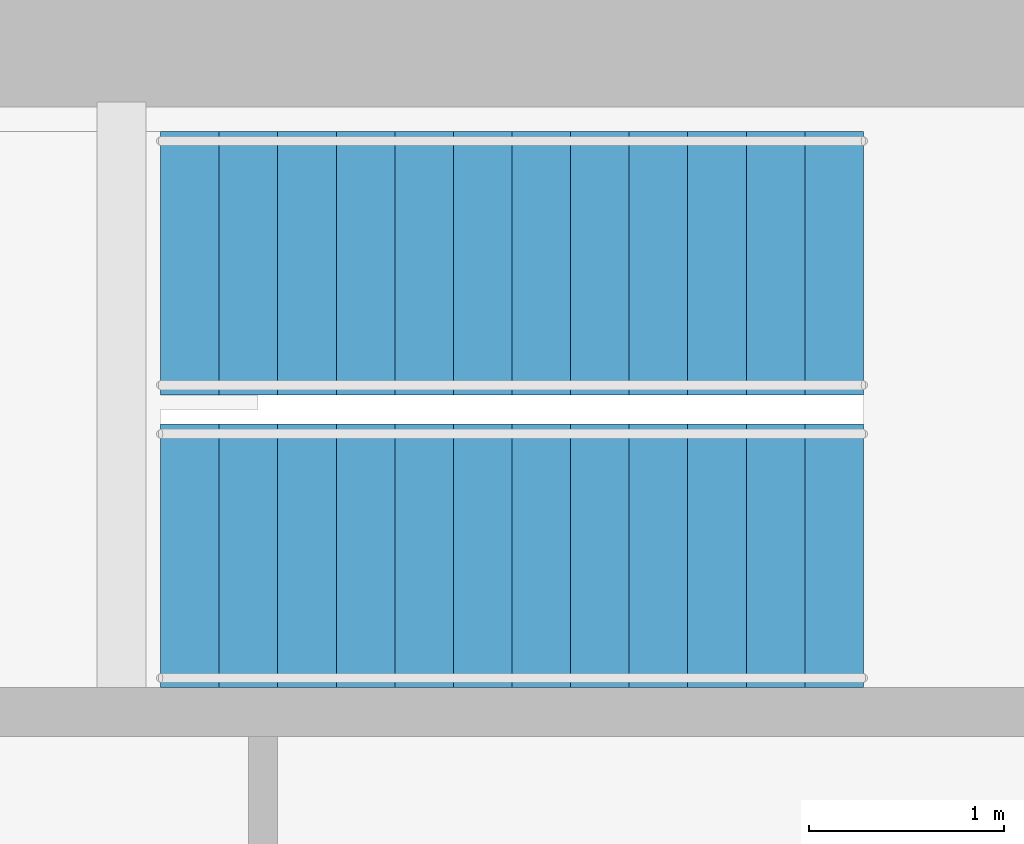
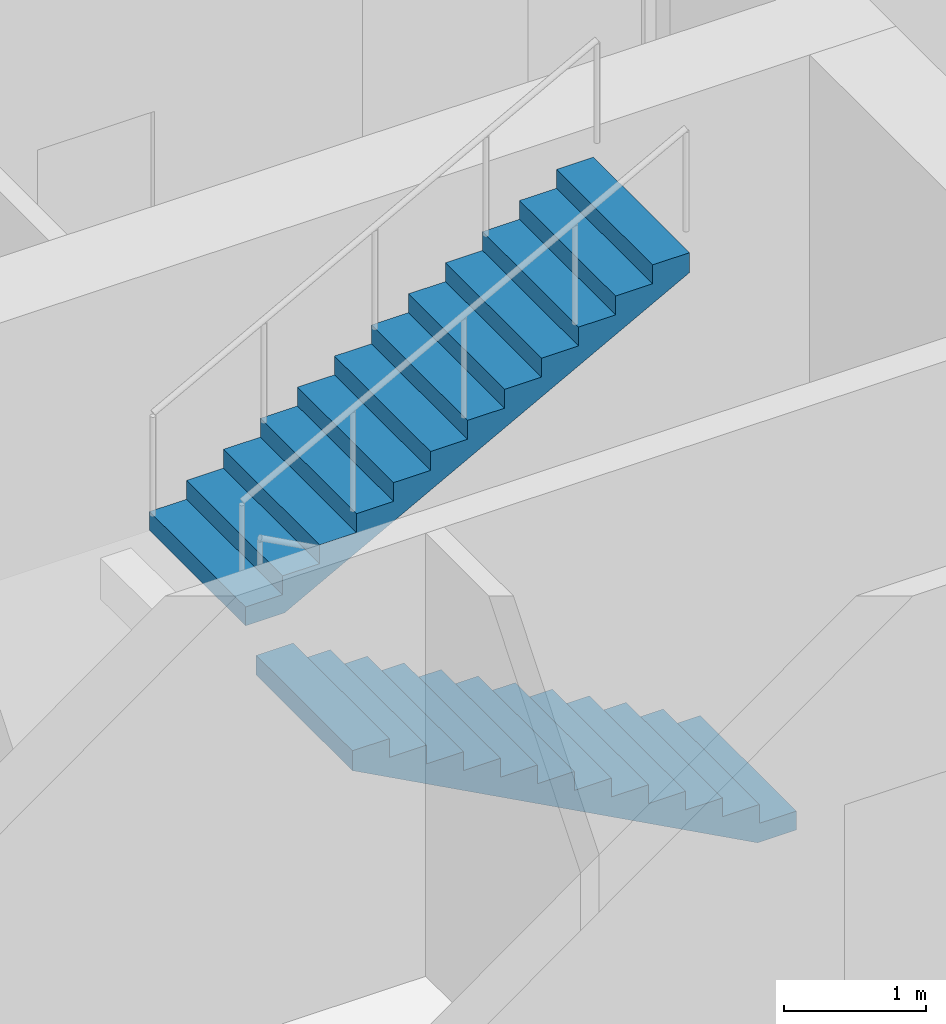
# One storey, part 10 of 12: 2 stair flights, 1 element without a shape of its own.
"""IFC4 building model written with IfcOpenShell, lengths in metres."""

from ifc_helpers import new_model, si_unit, direction, frame, origin, place, context, subcontext, project, spatial, polyline, outline, extrude, material, type_object, element, aggregate, save


model = new_model("IFC4")

# Units and contexts
model_context = context("Model", 3, precision=1e-05, world=origin(), true_north=direction((0.0, 1.0)))
body_context = subcontext(model_context, "Body", "Model", "MODEL_VIEW")
ifc_project = project(units=[si_unit("LENGTHUNIT", "METRE"), si_unit("AREAUNIT", "SQUARE_METRE"), si_unit("VOLUMEUNIT", "CUBIC_METRE"), si_unit("PLANEANGLEUNIT", "RADIAN"), si_unit("MASSUNIT", "GRAM", prefix="KILO")], contexts=[model_context])

# Site, building, storey
site_placement = place(None, origin())
site = spatial("IfcSite", under=ifc_project, at=site_placement, CompositionType="ELEMENT")
building_placement = place(site_placement, origin())
building = spatial("IfcBuilding", under=site, at=building_placement, Name="Msitu Wima Residences", CompositionType="ELEMENT")
storey_placement = place(building_placement, frame((0.0, 0.0, 204.300048828125)))
storey = spatial("IfcBuildingStorey", under=building, at=storey_placement, Name="L47", CompositionType="ELEMENT", Elevation=204.300048828125)

# Stair, stair flights
ifc_material = material(Name="Concrete C40/50", Category="concrete")
stair_type = type_object("IfcStairType", Name="Exit stair ES1615-135", PredefinedType="HALF_TURN_STAIR", material=ifc_material)
stair_placement = place(storey_placement, origin())
stair = element("IfcStair", 1, at=stair_placement, inside=storey, type_object=stair_type, Name="Exit stair 3", PredefinedType="HALF_TURN_STAIR")
stair_flight_type = type_object("IfcStairFlightType", Name="Exit stair flight ES1615-135", PredefinedType="STRAIGHT", material=ifc_material)
stair_flight_1_placement = place(storey_placement, frame((11.875, 9.0, 0.0), z_axis=(0.0, 0.0, 1.0), x_axis=(-1.0, 0.0, 0.0)))
stair_flight_1 = element("IfcStairFlight", 2, at=stair_flight_1_placement, type_object=stair_flight_type, Name="S3 flight 1", NumberOfRisers=13, NumberOfTreads=12, PredefinedType="STRAIGHT", RiserHeight=0.161538462, TreadLength=0.3, context=body_context, shape_type="SweptSolid", body=[
    extrude(outline(polyline([(0.0, 0.0), (0.0, 0.16162109375), (0.300048828125, 0.16162109375), (0.300048828125, 0.322998046875), (0.60009765625, 0.322998046875), (0.60009765625, 0.484619140625), (0.89990234375, 0.484619140625), (0.89990234375, 0.646240234375), (1.199951171875, 0.646240234375), (1.199951171875, 0.8076171875), (1.5, 0.8076171875), (1.5, 0.96923828125), (1.800048828125, 0.96923828125), (1.800048828125, 1.130859375), (2.10009765625, 1.130859375), (2.10009765625, 1.292236328125), (2.39990234375, 1.292236328125), (2.39990234375, 1.453857421875), (2.699951171875, 1.453857421875), (2.699951171875, 1.615478515625), (3.0, 1.615478515625), (3.0, 1.77685546875), (3.300048828125, 1.77685546875), (3.300048828125, 1.9384765625), (3.60009765625, 1.9384765625), (3.60009765625, 2.10009765625), (3.60009765625, 1.768310546875), (0.316162109375, 0.0), (0.0, 0.0)])), frame((0.0, 0.675048828125, 0.0), z_axis=(0.0, -1.0, 0.0), x_axis=(1.0, 0.0, 0.0)), (0.0, 0.0, 1.0), 1.35009765625),
])
stair_flight_2_placement = place(storey_placement, frame((8.27490234375, 10.5, 2.099853515625), z_axis=(0.0, 0.0, 1.0), x_axis=(1.0, 0.0, 0.0)))
stair_flight_2 = element("IfcStairFlight", 3, at=stair_flight_2_placement, type_object=stair_flight_type, Name="S3 flight 2", NumberOfRisers=13, NumberOfTreads=12, PredefinedType="STRAIGHT", RiserHeight=0.161538462, TreadLength=0.3, context=body_context, shape_type="SweptSolid", body=[
    extrude(outline(polyline([(0.0, 0.0), (0.0, 0.16162109375), (0.300048828125, 0.16162109375), (0.300048828125, 0.322998046875), (0.60009765625, 0.322998046875), (0.60009765625, 0.484619140625), (0.89990234375, 0.484619140625), (0.89990234375, 0.646240234375), (1.199951171875, 0.646240234375), (1.199951171875, 0.8076171875), (1.5, 0.8076171875), (1.5, 0.96923828125), (1.800048828125, 0.96923828125), (1.800048828125, 1.130859375), (2.10009765625, 1.130859375), (2.10009765625, 1.292236328125), (2.39990234375, 1.292236328125), (2.39990234375, 1.453857421875), (2.699951171875, 1.453857421875), (2.699951171875, 1.615478515625), (3.0, 1.615478515625), (3.0, 1.77685546875), (3.300048828125, 1.77685546875), (3.300048828125, 1.9384765625), (3.60009765625, 1.9384765625), (3.60009765625, 2.10009765625), (3.60009765625, 1.768310546875), (0.316162109375, 0.0), (0.0, 0.0)])), frame((0.0, 0.675048828125, 0.0), z_axis=(0.0, -1.0, 0.0), x_axis=(1.0, 0.0, 0.0)), (0.0, 0.0, 1.0), 1.35009765625),
])
aggregate(stair, [stair_flight_1, stair_flight_2])

save(model, "model.ifc")
